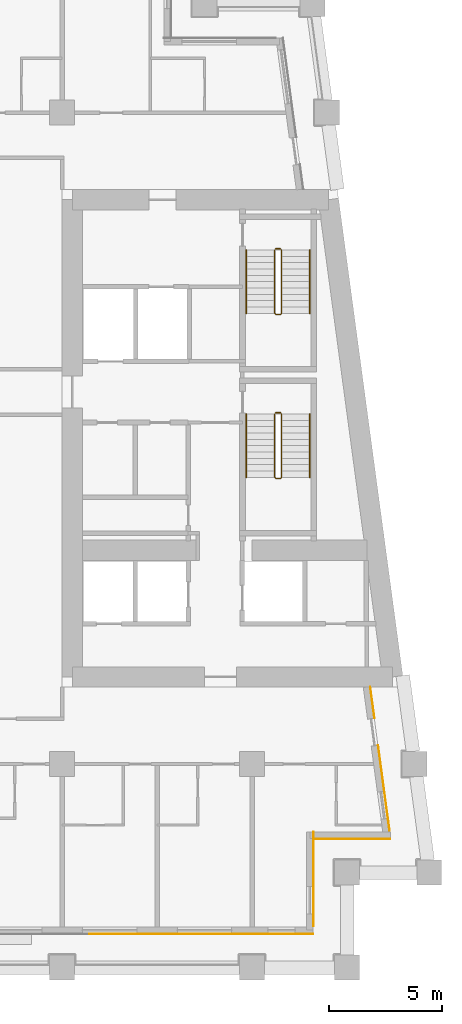
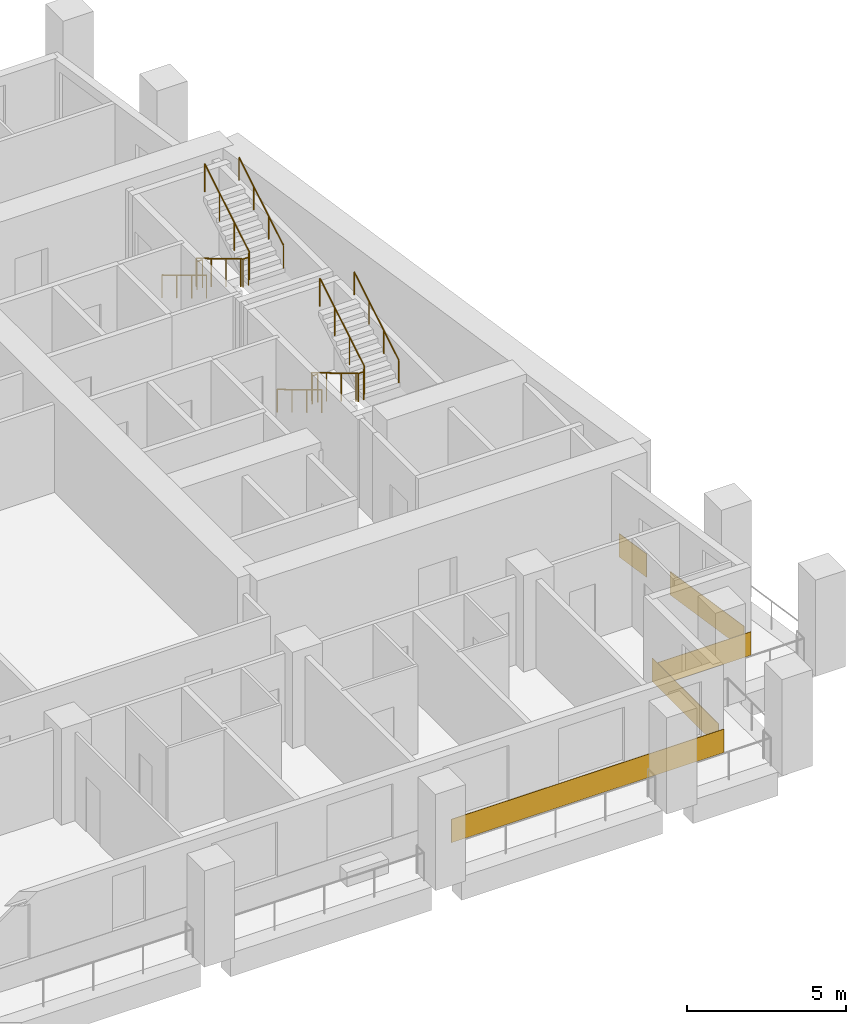
# One storey, part 11 of 13: 8 railings, 5 coverings.
"""IFC4 building model written with IfcOpenShell, lengths in metres."""

from ifc_helpers import new_model, si_unit, direction, frame, origin, origin_2d, place, context, subcontext, project, spatial, rectangle, circle, extrude, material, layer, layer_set, type_object, element, save


model = new_model("IFC4")

# Units and contexts
model_context = context("Model", 3, precision=1e-05, world=origin(), true_north=direction((0.0, 1.0)))
body_context = subcontext(model_context, "Body", "Model", "MODEL_VIEW")
ifc_project = project(units=[si_unit("LENGTHUNIT", "METRE"), si_unit("AREAUNIT", "SQUARE_METRE"), si_unit("VOLUMEUNIT", "CUBIC_METRE"), si_unit("PLANEANGLEUNIT", "RADIAN"), si_unit("MASSUNIT", "GRAM", prefix="KILO")], contexts=[model_context])

# Site, building, storey
site_placement = place(None, origin())
site = spatial("IfcSite", under=ifc_project, at=site_placement, CompositionType="ELEMENT")
building_placement = place(site_placement, origin())
building = spatial("IfcBuilding", under=site, at=building_placement, Name="Candeia Pilgrim Tower and Theatre", CompositionType="ELEMENT")
storey_placement = place(building_placement, frame((0.0, 0.0, 181.10009765625)))
storey = spatial("IfcBuildingStorey", under=building, at=storey_placement, Name="L43", CompositionType="ELEMENT", Elevation=181.10009765625)

# Coverings
ifc_material_1 = material(Name="Glazed ceramic tile rust")
ifc_layer = layer(ifc_material_1, 0.02001953125)
ifc_layer_set = layer_set([ifc_layer], Name="Glazed ceramic tile rust")
covering_type = type_object("IfcCoveringType", Name="Glazed ceramic tile rust", PredefinedType="CLADDING", material=ifc_layer_set)
covering_1_placement = place(storey_placement, frame((132.14990234375, 99.489990234375, 0.0), z_axis=(0.0, 0.0, 1.0), x_axis=(1.0, 0.0, 0.0)))
element("IfcCovering", 1, at=covering_1_placement, inside=storey, type_object=covering_type, Name="Tile cladding rust L43", PredefinedType="CLADDING", context=body_context, shape_type="SweptSolid", body=[
    extrude(rectangle(XDim=9.89990234375, YDim=0.02001953125, at=origin_2d()), origin(), (0.0, 0.0, 1.0), 0.89990234375),
])
covering_2_placement = place(storey_placement, frame((137.110107421875, 101.909912109375, 0.0), z_axis=(0.0, 0.0, 1.0), x_axis=(0.0, 1.0, 0.0)))
element("IfcCovering", 2, at=covering_2_placement, inside=storey, type_object=covering_type, Name="Tile cladding rust L43", PredefinedType="CLADDING", context=body_context, shape_type="SweptSolid", body=[
    extrude(rectangle(XDim=4.179931640625, YDim=0.02001953125, at=origin_2d()), origin(), (0.0, 0.0, 1.0), 0.89990234375),
])
covering_3_placement = place(storey_placement, frame((138.819580078125, 103.68994140625, 0.0), z_axis=(0.0, 0.0, 1.0), x_axis=(1.0, 0.0, 0.0)))
element("IfcCovering", 3, at=covering_3_placement, inside=storey, type_object=covering_type, Name="Tile cladding rust L43", PredefinedType="CLADDING", context=body_context, shape_type="SweptSolid", body=[
    extrude(rectangle(XDim=3.399169921875, YDim=0.02001953125, at=origin_2d()), origin(), (0.0, 0.0, 1.0), 0.89990234375),
])
covering_4_placement = place(storey_placement, frame((140.228515625, 105.933349609375, 0.0), z_axis=(0.0, 0.0, 1.0), x_axis=(-0.133412012145, 0.991060661622, 0.0)))
element("IfcCovering", 4, at=covering_4_placement, inside=storey, type_object=covering_type, Name="Tile cladding rust L43", PredefinedType="CLADDING", context=body_context, shape_type="SweptSolid", body=[
    extrude(rectangle(XDim=3.821044921875, YDim=0.02001953125, at=origin_2d()), origin(), (0.0, 0.0, 1.0), 0.89990234375),
])
covering_5_placement = place(storey_placement, frame((139.718994140625, 109.71875, 0.0), z_axis=(0.0, 0.0, 1.0), x_axis=(-0.133412012145, 0.991060661622, 0.0)))
element("IfcCovering", 5, at=covering_5_placement, inside=storey, type_object=covering_type, Name="Tile cladding rust L43", PredefinedType="CLADDING", context=body_context, shape_type="SweptSolid", body=[
    extrude(rectangle(XDim=1.41796875, YDim=0.02001953125, at=origin_2d()), origin(), (0.0, 0.0, 1.0), 0.89990234375),
])

# Railings
ifc_material_2 = material(Name="Stainless steel balustrade", Category="steel")
railing_type_1 = type_object("IfcRailingType", Name="RL-GUARD-1100", PredefinedType="GUARDRAIL", material=ifc_material_2)
railing_1_placement = place(storey_placement, frame((135.39794921875, 122.47509765625, 0.16796875)))
element("IfcRailing", 6, at=railing_1_placement, inside=storey, type_object=railing_type_1, Name="L43 ST3 stair guard 1", PredefinedType="GUARDRAIL", context=body_context, shape_type="SweptSolid", body=[
    extrude(circle(Radius=0.02392578125, at=origin_2d()), frame((0.0, 0.0, 1.076171875), z_axis=(0.0, -0.857242210791, 0.514913383045), x_axis=(1.0, 0.0, 0.0)), (0.0, 0.0, 1.0), 3.266357421875),
    extrude(circle(Radius=0.02392578125, at=origin_2d()), frame((0.0, -2.800048828125, 2.7578125), z_axis=(0.707106781187, -0.707106781187, 0.0), x_axis=(0.707106781187, 0.707106781187, 0.0)), (0.0, 0.0, 1.0), 0.07080078125),
    extrude(circle(Radius=0.02392578125, at=origin_2d()), frame((0.050048828125, -2.85009765625, 2.7578125), z_axis=(1.0, 0.0, 0.0), x_axis=(0.0, 1.0, 0.0)), (0.0, 0.0, 1.0), 0.199951171875),
    extrude(circle(Radius=0.02392578125, at=origin_2d()), frame((0.25, -2.85009765625, 2.7578125), z_axis=(0.274243871929, 0.274243871929, 0.92172696468), x_axis=(-0.707106781187, 0.707106781187, 0.0)), (0.0, 0.0, 1.0), 0.1826171875),
    extrude(circle(Radius=0.02392578125, at=origin_2d()), frame((0.300048828125, -2.800048828125, 2.92626953125), z_axis=(0.0, 0.857242210791, 0.514913383045), x_axis=(-1.0, 0.0, 0.0)), (0.0, 0.0, 1.0), 3.266357421875),
    extrude(circle(Radius=0.02099609375, at=origin_2d()), origin(), (0.0, 0.0, 1.0), 1.052001953125),
    extrude(circle(Radius=0.02099609375, at=origin_2d()), frame((0.0, -0.933349609375, 0.560546875)), (0.0, 0.0, 1.0), 1.052001953125),
    extrude(circle(Radius=0.02099609375, at=origin_2d()), frame((0.0, -1.86669921875, 1.121337890625)), (0.0, 0.0, 1.0), 1.052001953125),
    extrude(circle(Radius=0.02099609375, at=origin_2d()), frame((0.0, -2.800048828125, 1.681884765625)), (0.0, 0.0, 1.0), 1.052001953125),
    extrude(circle(Radius=0.02099609375, at=origin_2d()), frame((0.050048828125, -2.85009765625, 1.681884765625)), (0.0, 0.0, 1.0), 1.052001953125),
    extrude(circle(Radius=0.02099609375, at=origin_2d()), frame((0.25, -2.85009765625, 1.681884765625)), (0.0, 0.0, 1.0), 1.052001953125),
    extrude(circle(Radius=0.02099609375, at=origin_2d()), frame((0.300048828125, -2.800048828125, 1.85009765625)), (0.0, 0.0, 1.0), 1.052001953125),
    extrude(circle(Radius=0.02099609375, at=origin_2d()), frame((0.300048828125, -1.86669921875, 2.41064453125)), (0.0, 0.0, 1.0), 1.052001953125),
    extrude(circle(Radius=0.02099609375, at=origin_2d()), frame((0.300048828125, -0.933349609375, 2.971435546875)), (0.0, 0.0, 1.0), 1.052001953125),
    extrude(circle(Radius=0.02099609375, at=origin_2d()), frame((0.300048828125, 0.0, 3.531982421875)), (0.0, 0.0, 1.0), 1.052001953125),
])
railing_2_placement = place(storey_placement, frame((135.447998046875, 122.52490234375, 0.0)))
element("IfcRailing", 7, at=railing_2_placement, inside=storey, type_object=railing_type_1, Name="L43 ST3 stair guard 2", PredefinedType="GUARDRAIL", context=body_context, shape_type="SweptSolid", body=[
    extrude(circle(Radius=0.02392578125, at=origin_2d()), frame((0.0, 0.0, 1.076171875), z_axis=(1.0, 0.0, 0.0), x_axis=(0.0, 1.0, 0.0)), (0.0, 0.0, 1.0), 0.199951171875),
    extrude(circle(Radius=0.02099609375, at=origin_2d()), origin(), (0.0, 0.0, 1.0), 1.052001953125),
    extrude(circle(Radius=0.02099609375, at=origin_2d()), frame((0.199951171875, 0.0, 0.0)), (0.0, 0.0, 1.0), 1.052001953125),
])
railing_3_placement = place(storey_placement, frame((135.39794921875, 129.72509765625, 0.16796875)))
element("IfcRailing", 8, at=railing_3_placement, inside=storey, type_object=railing_type_1, Name="L43 ST4 stair guard 1", PredefinedType="GUARDRAIL", context=body_context, shape_type="SweptSolid", body=[
    extrude(circle(Radius=0.02392578125, at=origin_2d()), frame((0.0, 0.0, 1.076171875), z_axis=(0.0, -0.857242210791, 0.514913383045), x_axis=(1.0, 0.0, 0.0)), (0.0, 0.0, 1.0), 3.266357421875),
    extrude(circle(Radius=0.02392578125, at=origin_2d()), frame((0.0, -2.800048828125, 2.7578125), z_axis=(0.707106781187, -0.707106781187, 0.0), x_axis=(0.707106781187, 0.707106781187, 0.0)), (0.0, 0.0, 1.0), 0.07080078125),
    extrude(circle(Radius=0.02392578125, at=origin_2d()), frame((0.050048828125, -2.85009765625, 2.7578125), z_axis=(1.0, 0.0, 0.0), x_axis=(0.0, 1.0, 0.0)), (0.0, 0.0, 1.0), 0.199951171875),
    extrude(circle(Radius=0.02392578125, at=origin_2d()), frame((0.25, -2.85009765625, 2.7578125), z_axis=(0.274243871929, 0.274243871929, 0.92172696468), x_axis=(-0.707106781187, 0.707106781187, 0.0)), (0.0, 0.0, 1.0), 0.1826171875),
    extrude(circle(Radius=0.02392578125, at=origin_2d()), frame((0.300048828125, -2.800048828125, 2.92626953125), z_axis=(0.0, 0.857242210791, 0.514913383045), x_axis=(-1.0, 0.0, 0.0)), (0.0, 0.0, 1.0), 3.266357421875),
    extrude(circle(Radius=0.02099609375, at=origin_2d()), origin(), (0.0, 0.0, 1.0), 1.052001953125),
    extrude(circle(Radius=0.02099609375, at=origin_2d()), frame((0.0, -0.933349609375, 0.560546875)), (0.0, 0.0, 1.0), 1.052001953125),
    extrude(circle(Radius=0.02099609375, at=origin_2d()), frame((0.0, -1.86669921875, 1.121337890625)), (0.0, 0.0, 1.0), 1.052001953125),
    extrude(circle(Radius=0.02099609375, at=origin_2d()), frame((0.0, -2.800048828125, 1.681884765625)), (0.0, 0.0, 1.0), 1.052001953125),
    extrude(circle(Radius=0.02099609375, at=origin_2d()), frame((0.050048828125, -2.85009765625, 1.681884765625)), (0.0, 0.0, 1.0), 1.052001953125),
    extrude(circle(Radius=0.02099609375, at=origin_2d()), frame((0.25, -2.85009765625, 1.681884765625)), (0.0, 0.0, 1.0), 1.052001953125),
    extrude(circle(Radius=0.02099609375, at=origin_2d()), frame((0.300048828125, -2.800048828125, 1.85009765625)), (0.0, 0.0, 1.0), 1.052001953125),
    extrude(circle(Radius=0.02099609375, at=origin_2d()), frame((0.300048828125, -1.86669921875, 2.41064453125)), (0.0, 0.0, 1.0), 1.052001953125),
    extrude(circle(Radius=0.02099609375, at=origin_2d()), frame((0.300048828125, -0.933349609375, 2.971435546875)), (0.0, 0.0, 1.0), 1.052001953125),
    extrude(circle(Radius=0.02099609375, at=origin_2d()), frame((0.300048828125, 0.0, 3.531982421875)), (0.0, 0.0, 1.0), 1.052001953125),
])
railing_4_placement = place(storey_placement, frame((135.447998046875, 129.77490234375, 0.0)))
element("IfcRailing", 9, at=railing_4_placement, inside=storey, type_object=railing_type_1, Name="L43 ST4 stair guard 2", PredefinedType="GUARDRAIL", context=body_context, shape_type="SweptSolid", body=[
    extrude(circle(Radius=0.02392578125, at=origin_2d()), frame((0.0, 0.0, 1.076171875), z_axis=(1.0, 0.0, 0.0), x_axis=(0.0, 1.0, 0.0)), (0.0, 0.0, 1.0), 0.199951171875),
    extrude(circle(Radius=0.02099609375, at=origin_2d()), origin(), (0.0, 0.0, 1.0), 1.052001953125),
    extrude(circle(Radius=0.02099609375, at=origin_2d()), frame((0.199951171875, 0.0, 0.0)), (0.0, 0.0, 1.0), 1.052001953125),
])
ifc_material_3 = material(Name="Stainless steel handrail", Category="steel")
railing_type_2 = type_object("IfcRailingType", Name="RL-HANDRAIL-900", PredefinedType="HANDRAIL", material=ifc_material_3)
railing_5_placement = place(storey_placement, frame((134.14794921875, 122.47509765625, 0.16796875)))
element("IfcRailing", 10, at=railing_5_placement, inside=storey, type_object=railing_type_2, Name="L43 ST3 stair handrail 1", PredefinedType="HANDRAIL", context=body_context, shape_type="SweptSolid", body=[
    extrude(circle(Radius=0.02392578125, at=origin_2d()), frame((0.0, 0.0, 0.8759765625), z_axis=(0.0, -0.857242210791, 0.514913383045), x_axis=(1.0, 0.0, 0.0)), (0.0, 0.0, 1.0), 3.266357421875),
    extrude(circle(Radius=0.02099609375, at=origin_2d()), origin(), (0.0, 0.0, 1.0), 0.851806640625),
    extrude(circle(Radius=0.02099609375, at=origin_2d()), frame((0.0, -0.933349609375, 0.560546875)), (0.0, 0.0, 1.0), 0.851806640625),
    extrude(circle(Radius=0.02099609375, at=origin_2d()), frame((0.0, -1.86669921875, 1.121337890625)), (0.0, 0.0, 1.0), 0.851806640625),
    extrude(circle(Radius=0.02099609375, at=origin_2d()), frame((0.0, -2.800048828125, 1.681884765625)), (0.0, 0.0, 1.0), 0.851806640625),
])
railing_6_placement = place(storey_placement, frame((136.947998046875, 119.675048828125, 2.01806640625)))
element("IfcRailing", 11, at=railing_6_placement, inside=storey, type_object=railing_type_2, Name="L43 ST3 stair handrail 2", PredefinedType="HANDRAIL", context=body_context, shape_type="SweptSolid", body=[
    extrude(circle(Radius=0.02392578125, at=origin_2d()), frame((0.0, 0.0, 0.8759765625), z_axis=(0.0, 0.857242210791, 0.514913383045), x_axis=(-1.0, 0.0, 0.0)), (0.0, 0.0, 1.0), 3.266357421875),
    extrude(circle(Radius=0.02099609375, at=origin_2d()), origin(), (0.0, 0.0, 1.0), 0.851806640625),
    extrude(circle(Radius=0.02099609375, at=origin_2d()), frame((0.0, 0.933349609375, 0.560546875)), (0.0, 0.0, 1.0), 0.851806640625),
    extrude(circle(Radius=0.02099609375, at=origin_2d()), frame((0.0, 1.86669921875, 1.121337890625)), (0.0, 0.0, 1.0), 0.851806640625),
    extrude(circle(Radius=0.02099609375, at=origin_2d()), frame((0.0, 2.800048828125, 1.681884765625)), (0.0, 0.0, 1.0), 0.851806640625),
])
railing_7_placement = place(storey_placement, frame((134.14794921875, 129.72509765625, 0.16796875)))
element("IfcRailing", 12, at=railing_7_placement, inside=storey, type_object=railing_type_2, Name="L43 ST4 stair handrail 1", PredefinedType="HANDRAIL", context=body_context, shape_type="SweptSolid", body=[
    extrude(circle(Radius=0.02392578125, at=origin_2d()), frame((0.0, 0.0, 0.8759765625), z_axis=(0.0, -0.857242210791, 0.514913383045), x_axis=(1.0, 0.0, 0.0)), (0.0, 0.0, 1.0), 3.266357421875),
    extrude(circle(Radius=0.02099609375, at=origin_2d()), origin(), (0.0, 0.0, 1.0), 0.851806640625),
    extrude(circle(Radius=0.02099609375, at=origin_2d()), frame((0.0, -0.933349609375, 0.560546875)), (0.0, 0.0, 1.0), 0.851806640625),
    extrude(circle(Radius=0.02099609375, at=origin_2d()), frame((0.0, -1.86669921875, 1.121337890625)), (0.0, 0.0, 1.0), 0.851806640625),
    extrude(circle(Radius=0.02099609375, at=origin_2d()), frame((0.0, -2.800048828125, 1.681884765625)), (0.0, 0.0, 1.0), 0.851806640625),
])
railing_8_placement = place(storey_placement, frame((136.947998046875, 126.925048828125, 2.01806640625)))
element("IfcRailing", 13, at=railing_8_placement, inside=storey, type_object=railing_type_2, Name="L43 ST4 stair handrail 2", PredefinedType="HANDRAIL", context=body_context, shape_type="SweptSolid", body=[
    extrude(circle(Radius=0.02392578125, at=origin_2d()), frame((0.0, 0.0, 0.8759765625), z_axis=(0.0, 0.857242210791, 0.514913383045), x_axis=(-1.0, 0.0, 0.0)), (0.0, 0.0, 1.0), 3.266357421875),
    extrude(circle(Radius=0.02099609375, at=origin_2d()), origin(), (0.0, 0.0, 1.0), 0.851806640625),
    extrude(circle(Radius=0.02099609375, at=origin_2d()), frame((0.0, 0.933349609375, 0.560546875)), (0.0, 0.0, 1.0), 0.851806640625),
    extrude(circle(Radius=0.02099609375, at=origin_2d()), frame((0.0, 1.86669921875, 1.121337890625)), (0.0, 0.0, 1.0), 0.851806640625),
    extrude(circle(Radius=0.02099609375, at=origin_2d()), frame((0.0, 2.800048828125, 1.681884765625)), (0.0, 0.0, 1.0), 0.851806640625),
])

save(model, "model.ifc")
